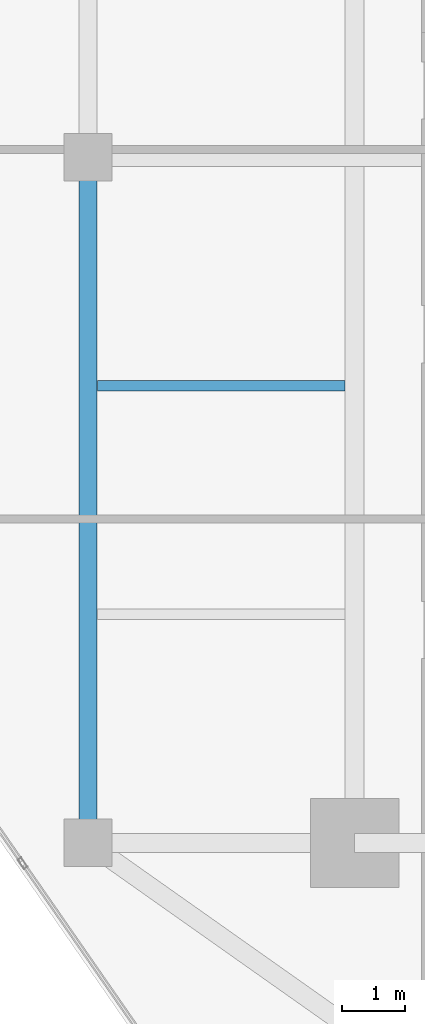
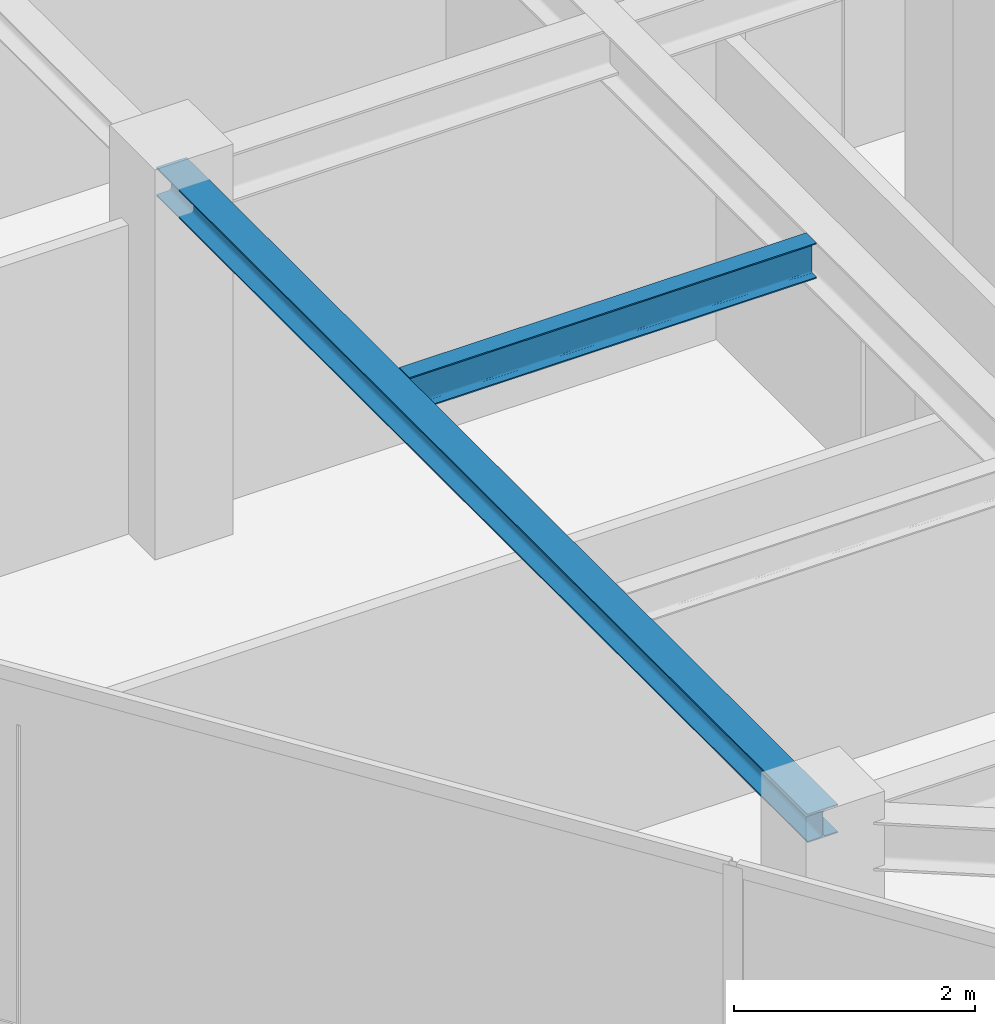
# One storey, part 5 of 21: 2 beams.
"""IFC4 building model written with IfcOpenShell, lengths in metres."""

from ifc_helpers import new_model, si_unit, direction, frame, origin, origin_2d, place, context, subcontext, project, spatial, i_section, extrude, source, transform, mapped, material, material_profile, profile_set, type_object, type_shapes, element, save


model = new_model("IFC4")

# Units and contexts
model_context = context("Model", 3, precision=1e-05, world=origin(), true_north=direction((0.0, 1.0)))
body_context = subcontext(model_context, "Body", "Model", "MODEL_VIEW")
ifc_project = project(units=[si_unit("LENGTHUNIT", "METRE"), si_unit("AREAUNIT", "SQUARE_METRE"), si_unit("VOLUMEUNIT", "CUBIC_METRE"), si_unit("PLANEANGLEUNIT", "RADIAN"), si_unit("MASSUNIT", "GRAM", prefix="KILO")], contexts=[model_context])

# Site, building, storey
site_placement = place(None, origin())
site = spatial("IfcSite", under=ifc_project, at=site_placement, CompositionType="ELEMENT")
building_placement = place(site_placement, origin())
building = spatial("IfcBuilding", under=site, at=building_placement, Name="Krantzveldt Concourse Tower", CompositionType="ELEMENT")
storey_placement = place(building_placement, frame((0.0, 0.0, 271.35009765625)))
storey = spatial("IfcBuildingStorey", under=building, at=storey_placement, Name="L66", CompositionType="ELEMENT", Elevation=271.35009765625)

# Beams
ifc_material = material(Name="Steel S355JR", Category="steel")
ifc_material_profile_1 = material_profile(ifc_material, i_section(OverallWidth=0.2900390625, OverallDepth=0.2900390625, WebThickness=0.008544921875, FlangeThickness=0.013916015625, FilletRadius=0.027099609375, at=origin_2d()), Name="Steel S355JR", Category="steel")
ifc_profile_set_1 = profile_set([ifc_material_profile_1], Name="Steel S355JR - HEA 300")
beam_type_1 = type_object("IfcBeamType", Name="BM-SP-HEA300", PredefinedType="SPANDREL", material=ifc_profile_set_1)
shared_shape_1 = source(origin(), body_context, "Body", "SweptSolid", [
    extrude(i_section(OverallWidth=0.2900390625, OverallDepth=0.2900390625, WebThickness=0.008544921875, FlangeThickness=0.013916015625, FilletRadius=0.027099609375, at=origin_2d()), origin(), (0.0, 0.0, 1.0), 10.800048828125),
])
type_shapes(beam_type_1, [shared_shape_1])
beam_1_placement = place(storey_placement, frame((21.0, 15.89990234375, 3.52490234375), z_axis=(0.0, 1.0, 0.0), x_axis=(-1.0, 0.0, 0.0)))
element("IfcBeam", 1, at=beam_1_placement, inside=storey, type_object=beam_type_1, Name="L66 Tower Girder SP-R01", PredefinedType="SPANDREL", context=body_context, shape_type="MappedRepresentation", body=[
    mapped(shared_shape_1, transform((0.0, 0.0, 0.0), x_axis=(1.0, 0.0, 0.0), y_axis=(0.0, 1.0, 0.0), z_axis=(0.0, 0.0, 1.0), scale=1.0)),
])
ifc_material_profile_2 = material_profile(ifc_material, i_section(OverallWidth=0.169921875, OverallDepth=0.360107421875, WebThickness=0.008056640625, FlangeThickness=0.0126953125, FilletRadius=0.01806640625, at=origin_2d()), Name="Steel S355JR", Category="steel")
ifc_profile_set_2 = profile_set([ifc_material_profile_2], Name="Steel S355JR - IPE 360")
beam_type_2 = type_object("IfcBeamType", Name="BM-J-IPE360", PredefinedType="JOIST", material=ifc_profile_set_2)
shared_shape_2 = source(origin(), body_context, "Body", "SweptSolid", [
    extrude(i_section(OverallWidth=0.169921875, OverallDepth=0.360107421875, WebThickness=0.008056640625, FlangeThickness=0.0126953125, FilletRadius=0.01806640625, at=origin_2d()), origin(), (0.0, 0.0, 1.0), 3.900146484375),
])
type_shapes(beam_type_2, [shared_shape_2])
beam_2_placement = place(storey_placement, frame((21.14990234375, 23.10009765625, 3.489990234375), z_axis=(1.0, 0.0, 0.0), x_axis=(0.0, 1.0, 0.0)))
element("IfcBeam", 2, at=beam_2_placement, inside=storey, type_object=beam_type_2, Name="L66 Secondary Floor Joist JW-2", PredefinedType="JOIST", context=body_context, shape_type="MappedRepresentation", body=[
    mapped(shared_shape_2, transform((0.0, 0.0, 0.0), x_axis=(1.0, 0.0, 0.0), y_axis=(0.0, 1.0, 0.0), z_axis=(0.0, 0.0, 1.0), scale=1.0)),
])

save(model, "model.ifc")
